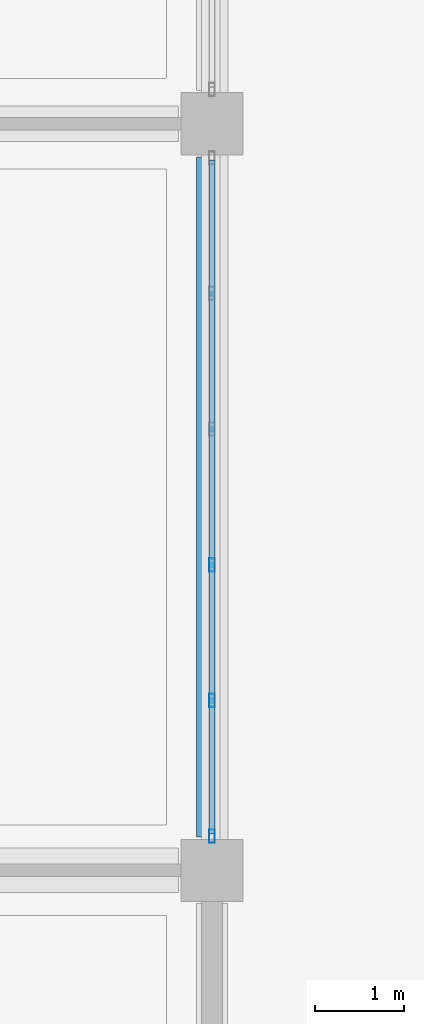
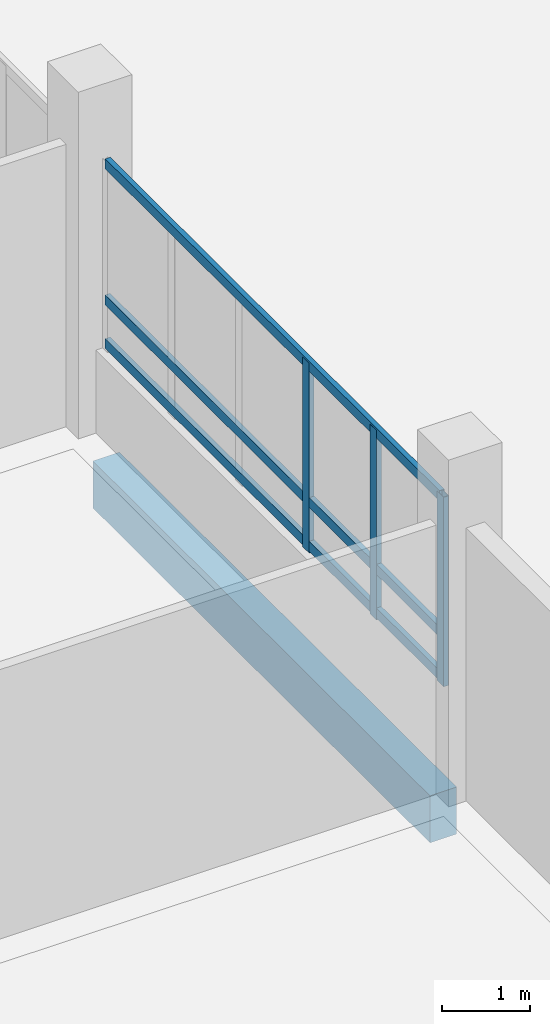
# One storey, part 22 of 95: 6 members, 1 beam, 1 element without a shape of its own.
"""IFC4 building model written with IfcOpenShell, lengths in metres."""

from ifc_helpers import new_model, si_unit, direction, frame, origin, origin_2d, place, context, subcontext, project, spatial, rectangle, hollow_rectangle, extrude, material, layer, layer_set, material_profile, profile_set, type_object, element, aggregate, save


model = new_model("IFC4")

# Units and contexts
model_context = context("Model", 3, precision=1e-05, world=origin(), true_north=direction((0.0, 1.0)))
body_context = subcontext(model_context, "Body", "Model", "MODEL_VIEW")
ifc_project = project(units=[si_unit("LENGTHUNIT", "METRE"), si_unit("AREAUNIT", "SQUARE_METRE"), si_unit("VOLUMEUNIT", "CUBIC_METRE"), si_unit("PLANEANGLEUNIT", "RADIAN"), si_unit("MASSUNIT", "GRAM", prefix="KILO")], contexts=[model_context])

# Site, building, storey
site_placement = place(None, origin())
site = spatial("IfcSite", under=ifc_project, at=site_placement, CompositionType="ELEMENT")
building_placement = place(site_placement, origin())
building = spatial("IfcBuilding", under=site, at=building_placement, Name="Vireocrest Preparatory School", CompositionType="ELEMENT")
storey_placement = place(building_placement, origin())
storey = spatial("IfcBuildingStorey", under=building, at=storey_placement, Name="L00", CompositionType="ELEMENT", Elevation=0.0)

# Curtain wall, members
ifc_material_1 = material(Name="Thermally broken aluminium EN AW-6063-T6", Category="aluminium")
ifc_layer = layer(ifc_material_1, 0.179931640625)
ifc_layer_set = layer_set([ifc_layer], Name="Thermally broken aluminium EN AW-6063-T6")
curtain_wall_type = type_object("IfcCurtainWallType", Name="Court Banded Curtain Wall 8400x3600", PredefinedType="USERDEFINED", material=ifc_layer_set)
curtain_wall_placement = place(storey_placement, origin())
curtain_wall = element("IfcCurtainWall", 1, at=curtain_wall_placement, inside=storey, type_object=curtain_wall_type, Name="Curtain Wall CW01 CW_L00_CW01_0672_0273_012", ObjectType="CURTAIN WALL", PredefinedType="USERDEFINED")
ifc_material_profile_1 = material_profile(ifc_material_1, hollow_rectangle(XDim=0.06494140625, YDim=0.14990234375, WallThickness=0.00390625, at=origin_2d()), Name="ALU 65x150x4")
ifc_profile_set_1 = profile_set([ifc_material_profile_1], Name="Thermally broken aluminium EN AW-6063-T6")
member_type_1 = type_object("IfcMemberType", Name="CW Mullion 65x150x4", PredefinedType="MULLION", material=ifc_profile_set_1)
member_1_placement = place(storey_placement, frame((67.199951171875, 27.385009765625, 1.14990234375), z_axis=(0.0, 0.0, 1.0), x_axis=(1.0, 0.0, 0.0)))
member_1 = element("IfcMember", 2, at=member_1_placement, type_object=member_type_1, Name="CW Mullion ML1 CW_L00_CW01_0672_0273_012-1", PredefinedType="MULLION", context=body_context, shape_type="SweptSolid", body=[
    extrude(hollow_rectangle(XDim=0.06494140625, YDim=0.14990234375, WallThickness=0.00390625, at=origin_2d()), origin(), (0.0, 0.0, 1.0), 2.625),
])
member_2_placement = place(storey_placement, frame((67.199951171875, 28.910888671875, 1.14990234375), z_axis=(0.0, 0.0, 1.0), x_axis=(1.0, 0.0, 0.0)))
member_2 = element("IfcMember", 3, at=member_2_placement, type_object=member_type_1, Name="CW Mullion ML1 CW_L00_CW01_0672_0273_012-2", PredefinedType="MULLION", context=body_context, shape_type="SweptSolid", body=[
    extrude(hollow_rectangle(XDim=0.06494140625, YDim=0.14990234375, WallThickness=0.00390625, at=origin_2d()), origin(), (0.0, 0.0, 1.0), 2.625),
])
member_3_placement = place(storey_placement, frame((67.199951171875, 30.43701171875, 1.14990234375), z_axis=(0.0, 0.0, 1.0), x_axis=(1.0, 0.0, 0.0)))
member_3 = element("IfcMember", 4, at=member_3_placement, type_object=member_type_1, Name="CW Mullion ML1 CW_L00_CW01_0672_0273_012-3", PredefinedType="MULLION", context=body_context, shape_type="SweptSolid", body=[
    extrude(hollow_rectangle(XDim=0.06494140625, YDim=0.14990234375, WallThickness=0.00390625, at=origin_2d()), origin(), (0.0, 0.0, 1.0), 2.625),
])
ifc_material_profile_2 = material_profile(ifc_material_1, hollow_rectangle(XDim=0.06494140625, YDim=0.139892578125, WallThickness=0.00390625, at=origin_2d()), Name="ALU 65x140x4")
ifc_profile_set_2 = profile_set([ifc_material_profile_2], Name="Thermally broken aluminium EN AW-6063-T6")
member_type_2 = type_object("IfcMemberType", Name="CW Transom 65x140x4", PredefinedType="USERDEFINED", material=ifc_profile_set_2)
member_4_placement = place(storey_placement, frame((67.199951171875, 27.409912109375, 1.2451171875), z_axis=(0.0, 1.0, 0.0), x_axis=(-1.0, 0.0, 0.0)))
member_4 = element("IfcMember", 5, at=member_4_placement, type_object=member_type_2, Name="CW Transom TR1 CW_L00_CW01_0672_0273_012-1", ObjectType="TRANSOM", PredefinedType="USERDEFINED", context=body_context, shape_type="SweptSolid", body=[
    extrude(hollow_rectangle(XDim=0.06494140625, YDim=0.139892578125, WallThickness=0.00390625, at=origin_2d()), origin(), (0.0, 0.0, 1.0), 7.580078125),
])
member_5_placement = place(storey_placement, frame((67.199951171875, 27.409912109375, 1.85009765625), z_axis=(0.0, 1.0, 0.0), x_axis=(-1.0, 0.0, 0.0)))
member_5 = element("IfcMember", 6, at=member_5_placement, type_object=member_type_2, Name="CW Transom TR1 CW_L00_CW01_0672_0273_012-2", ObjectType="TRANSOM", PredefinedType="USERDEFINED", context=body_context, shape_type="SweptSolid", body=[
    extrude(hollow_rectangle(XDim=0.06494140625, YDim=0.139892578125, WallThickness=0.00390625, at=origin_2d()), origin(), (0.0, 0.0, 1.0), 7.580078125),
])
member_6_placement = place(storey_placement, frame((67.199951171875, 27.409912109375, 3.735107421875), z_axis=(0.0, 1.0, 0.0), x_axis=(-1.0, 0.0, 0.0)))
member_6 = element("IfcMember", 7, at=member_6_placement, type_object=member_type_2, Name="CW Transom TR1 CW_L00_CW01_0672_0273_012-3", ObjectType="TRANSOM", PredefinedType="USERDEFINED", context=body_context, shape_type="SweptSolid", body=[
    extrude(hollow_rectangle(XDim=0.06494140625, YDim=0.139892578125, WallThickness=0.00390625, at=origin_2d()), origin(), (0.0, 0.0, 1.0), 7.580078125),
])
aggregate(curtain_wall, [member_1, member_2, member_3, member_4, member_5, member_6])

# Beam
ifc_material_2 = material(Name="Concrete 40 MPa", Category="concrete")
ifc_material_profile_3 = material_profile(ifc_material_2, rectangle(XDim=0.35009765625, YDim=0.64990234375, at=origin_2d()), Name="RC 350x650")
ifc_profile_set_3 = profile_set([ifc_material_profile_3], Name="Concrete 40 MPa")
beam_type = type_object("IfcBeamType", Name="RC Classroom Girder 350x650", PredefinedType="BEAM", material=ifc_profile_set_3)
beam_placement = place(storey_placement, frame((67.199951171875, 27.375, -0.675048828125), z_axis=(0.0, 1.0, 0.0), x_axis=(-1.0, 0.0, 0.0)))
element("IfcBeam", 8, at=beam_placement, inside=storey, type_object=beam_type, Name="Primary Girder B05 L00-0178", PredefinedType="BEAM", context=body_context, shape_type="SweptSolid", body=[
    extrude(rectangle(XDim=0.35009765625, YDim=0.64990234375, at=origin_2d()), origin(), (0.0, 0.0, 1.0), 7.64990234375),
])

save(model, "model.ifc")
